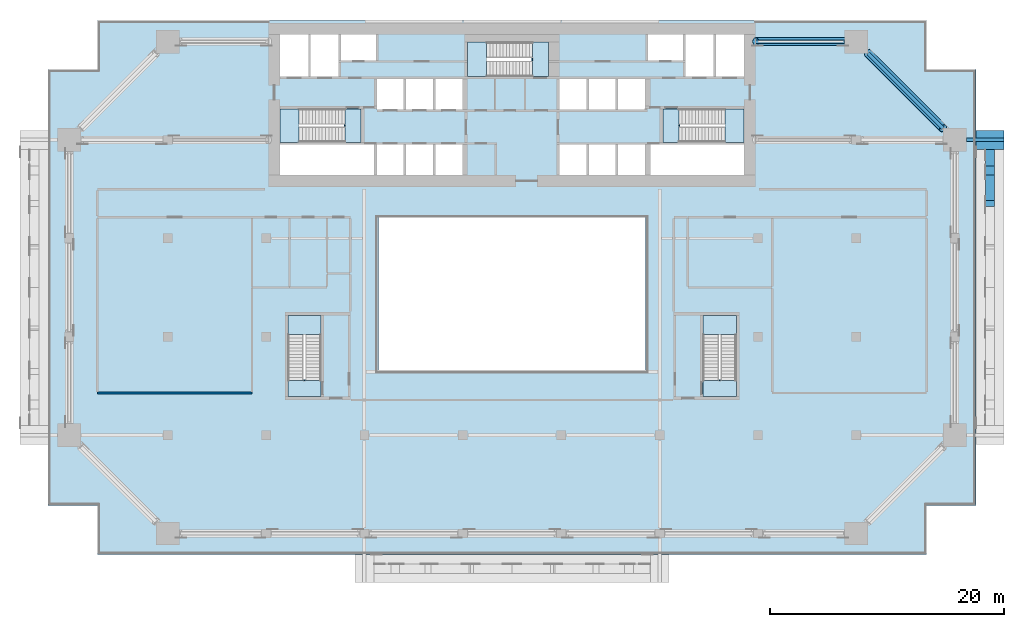
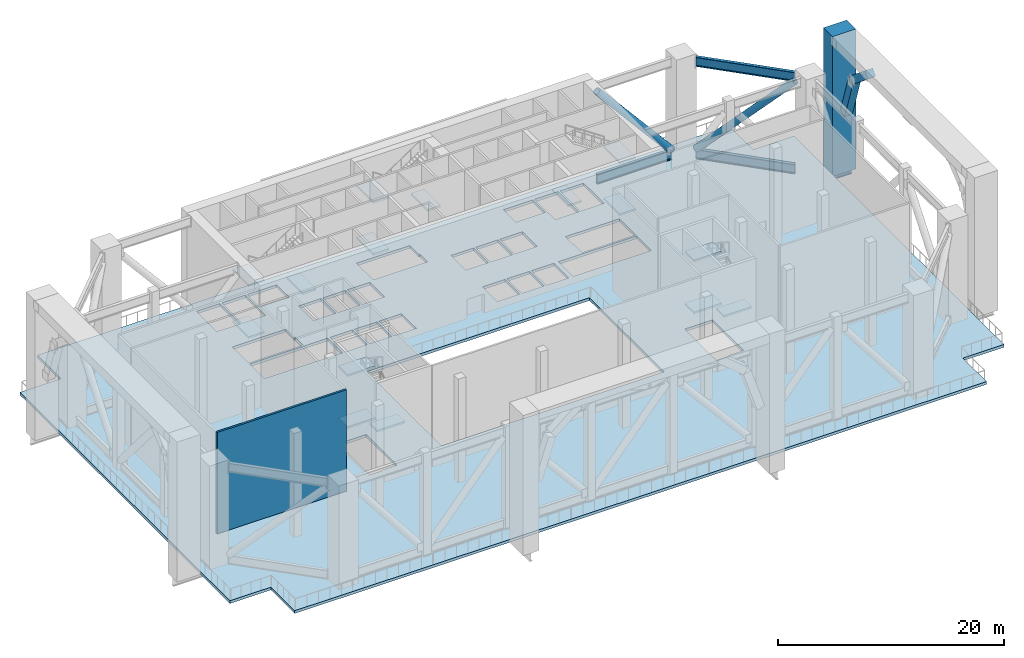
# One storey, part 3 of 19: 16 slabs, 8 members, 1 beam, 1 wall, 5 elements without a shape of their own.
"""IFC4 building model written with IfcOpenShell, lengths in metres."""

from ifc_helpers import new_model, si_unit, direction, frame, frame_2d, origin, origin_2d, place, context, subcontext, project, spatial, polyline, rectangle, hollow_circle, i_section, outline, extrude, material, layer, layer_set, material_profile, profile_set, type_object, element, aggregate, save


model = new_model("IFC4")

# Units and contexts
model_context = context("Model", 3, precision=1e-05, world=origin(), true_north=direction((0.0, 1.0)))
body_context = subcontext(model_context, "Body", "Model", "MODEL_VIEW")
ifc_project = project(units=[si_unit("LENGTHUNIT", "METRE"), si_unit("AREAUNIT", "SQUARE_METRE"), si_unit("VOLUMEUNIT", "CUBIC_METRE"), si_unit("PLANEANGLEUNIT", "RADIAN"), si_unit("MASSUNIT", "GRAM", prefix="KILO")], contexts=[model_context])

# Site, building, storey
site_placement = place(None, origin())
site = spatial("IfcSite", under=ifc_project, at=site_placement, CompositionType="ELEMENT")
building_placement = place(site_placement, origin())
building = spatial("IfcBuilding", under=site, at=building_placement, Name="Saffron Gate Tower", CompositionType="ELEMENT")
storey_placement = place(building_placement, frame((0.0, 0.0, 84.0)))
storey = spatial("IfcBuildingStorey", under=building, at=storey_placement, Name="L20", CompositionType="ELEMENT", Elevation=84.0)

# Members
ifc_material_1 = material(Name="Structural steel S355", Category="steel")
ifc_material_profile_1 = material_profile(ifc_material_1, i_section(OverallWidth=0.300048828125, OverallDepth=1.0, WebThickness=0.01904296875, FlangeThickness=0.035888671875, FilletRadius=0.030029296875, at=origin_2d()))
ifc_profile_set_1 = profile_set([ifc_material_profile_1], Name="Structural steel S355")
member_type_1 = type_object("IfcMemberType", Name="BT4 HEB 1000", PredefinedType="CHORD", material=ifc_profile_set_1)
for number, where, z_axis, x_axis, name in (
    (1, (118.0, 72.800048828125, 10.469970703125), (0.707093294118, -0.707120267998, 0.0), (0.707120267998, 0.707093294118, 0.0), "BT4 BELT TRUSS TOP CHORD"),
    (2, (118.0, 72.800048828125, 0.5), (0.707093294118, -0.707120267998, 0.0), (0.707120267998, 0.707093294118, 0.0), "BT4 BELT TRUSS BOTTOM CHORD"),
):
    element("IfcMember", number, at=place(storey_placement, frame(where, z_axis=z_axis, x_axis=x_axis)), inside=storey, type_object=member_type_1, Name=name, PredefinedType="CHORD", context=body_context, shape_type="SweptSolid", body=[
        extrude(i_section(OverallWidth=0.300048828125, OverallDepth=1.0, WebThickness=0.01904296875, FlangeThickness=0.035888671875, FilletRadius=0.030029296875, at=origin_2d()), origin(), (0.0, 0.0, 1.0), 9.051025390625),
    ])
ifc_material_profile_2 = material_profile(ifc_material_1, hollow_circle(Radius=0.35546875, WallThickness=0.02490234375, at=origin_2d()))
ifc_profile_set_2 = profile_set([ifc_material_profile_2], Name="Structural steel S355")
member_type_2 = type_object("IfcMemberType", Name="BT7 CHS 711x25", PredefinedType="BRACE", material=ifc_profile_set_2)
member_1_placement = place(storey_placement, frame((118.0, 72.800048828125, 1.0), z_axis=(0.502233574458, -0.502252733441, 0.703920186128), x_axis=(0.707120267998, 0.707093294118, 0.0)))
element("IfcMember", 3, at=member_1_placement, inside=storey, type_object=member_type_2, Name="BT7 BELT TRUSS DIAGONAL", PredefinedType="BRACE", context=body_context, shape_type="SweptSolid", body=[
    extrude(hollow_circle(Radius=0.35546875, WallThickness=0.02490234375, at=origin_2d()), origin(), (0.0, 0.0, 1.0), 12.742919921875),
])
ifc_material_profile_3 = material_profile(ifc_material_1, i_section(OverallWidth=0.300048828125, OverallDepth=1.0, WebThickness=0.01904296875, FlangeThickness=0.035888671875, FilletRadius=0.030029296875, at=origin_2d()))
ifc_profile_set_3 = profile_set([ifc_material_profile_3], Name="Structural steel S355")
member_type_3 = type_object("IfcMemberType", Name="OT3 HEB 1000", PredefinedType="CHORD", material=ifc_profile_set_3)
member_2_placement = place(storey_placement, frame((116.0, 73.800048828125, 0.5), z_axis=(-1.0, 0.0, 0.0), x_axis=(0.0, -1.0, 0.0)))
element("IfcMember", 4, at=member_2_placement, inside=storey, type_object=member_type_3, Name="OT3 OUTRIGGER BOTTOM CHORD", PredefinedType="CHORD", context=body_context, shape_type="SweptSolid", body=[
    extrude(i_section(OverallWidth=0.300048828125, OverallDepth=1.0, WebThickness=0.01904296875, FlangeThickness=0.035888671875, FilletRadius=0.030029296875, at=origin_2d()), origin(), (0.0, 0.0, 1.0), 7.60009765625),
])
ifc_material_profile_4 = material_profile(ifc_material_1, hollow_circle(Radius=0.35546875, WallThickness=0.02490234375, at=origin_2d()))
ifc_profile_set_4 = profile_set([ifc_material_profile_4], Name="Structural steel S355")
member_type_4 = type_object("IfcMemberType", Name="OT6 CHS 711x25", PredefinedType="BRACE", material=ifc_profile_set_4)
member_3_placement = place(storey_placement, frame((116.0, 73.800048828125, 1.0), z_axis=(-0.646443850124, 0.0, 0.762961564324), x_axis=(0.0, -1.0, 0.0)))
element("IfcMember", 5, at=member_3_placement, inside=storey, type_object=member_type_4, Name="OT6 OUTRIGGER DIAGONAL", PredefinedType="BRACE", context=body_context, shape_type="SweptSolid", body=[
    extrude(hollow_circle(Radius=0.35546875, WallThickness=0.02490234375, at=origin_2d()), origin(), (0.0, 0.0, 1.0), 11.7568359375),
])
ifc_material_2 = material(Name="Concrete C60", Category="concrete")
ifc_material_profile_5 = material_profile(ifc_material_2, rectangle(XDim=0.800048828125, YDim=0.800048828125, at=origin_2d()))
ifc_profile_set_5 = profile_set([ifc_material_profile_5], Name="Concrete C60")
member_type_5 = type_object("IfcMemberType", Name="PA1 RC 800x800", PredefinedType="BRACE", material=ifc_profile_set_5)
member_4_placement = place(storey_placement, frame((128.39990234375, 59.98583984375, 13.241943359375), z_axis=(0.0, 0.771301255722, -0.636470245119), x_axis=(-1.0, 0.0, 0.0)))
element("IfcMember", 6, at=member_4_placement, inside=storey, type_object=member_type_5, Name="PA1 PISHTAQ ARCH", PredefinedType="BRACE", context=body_context, shape_type="SweptSolid", body=[
    extrude(rectangle(XDim=0.800048828125, YDim=0.800048828125, at=origin_2d()), origin(), (0.0, 0.0, 1.0), 3.453125),
])
member_5_placement = place(storey_placement, frame((128.39990234375, 62.774658203125, 10.860595703125), z_axis=(0.0, 0.311817884168, -0.950141887885), x_axis=(-1.0, 0.0, 0.0)))
element("IfcMember", 7, at=member_5_placement, inside=storey, type_object=member_type_5, Name="PA1 PISHTAQ ARCH", PredefinedType="BRACE", context=body_context, shape_type="SweptSolid", body=[
    extrude(rectangle(XDim=0.800048828125, YDim=0.800048828125, at=origin_2d()), origin(), (0.0, 0.0, 1.0), 4.57080078125),
])
ifc_material_profile_6 = material_profile(ifc_material_2, rectangle(XDim=2.39990234375, YDim=1.60009765625, at=origin_2d()))
ifc_profile_set_6 = profile_set([ifc_material_profile_6], Name="Concrete C60")
member_type_6 = type_object("IfcMemberType", Name="PP1 RC 2400x1600", PredefinedType="POST", material=ifc_profile_set_6)
member_6_placement = place(storey_placement, frame((128.39990234375, 65.39990234375, -0.300048828125), z_axis=(0.0, 0.0, 1.0), x_axis=(1.0, 0.0, 0.0)))
element("IfcMember", 8, at=member_6_placement, inside=storey, type_object=member_type_6, Name="PP1 PISHTAQ PIER", PredefinedType="POST", context=body_context, shape_type="SweptSolid", body=[
    extrude(rectangle(XDim=2.39990234375, YDim=1.60009765625, at=origin_2d()), origin(), (0.0, 0.0, 1.0), 15.150146484375),
])

# Beam
ifc_material_profile_7 = material_profile(ifc_material_1, i_section(OverallWidth=0.300048828125, OverallDepth=0.889892578125, WebThickness=0.01611328125, FlangeThickness=0.030029296875, FilletRadius=0.030029296875, at=origin_2d()))
ifc_profile_set_7 = profile_set([ifc_material_profile_7], Name="Structural steel S355")
beam_type = type_object("IfcBeamType", Name="PQ1 HEA 900", PredefinedType="BEAM", material=ifc_profile_set_7)
beam_placement = place(storey_placement, frame((129.60009765625, 65.39990234375, -0.7451171875), z_axis=(-1.0, 0.0, 0.0), x_axis=(0.0, -1.0, 0.0)))
element("IfcBeam", 9, at=beam_placement, inside=storey, type_object=beam_type, Name="PQ1 PISHTAQ PIER BEAM", PredefinedType="BEAM", context=body_context, shape_type="SweptSolid", body=[
    extrude(i_section(OverallWidth=0.300048828125, OverallDepth=0.889892578125, WebThickness=0.01611328125, FlangeThickness=0.030029296875, FilletRadius=0.030029296875, at=origin_2d()), origin(), (0.0, 0.0, 1.0), 3.2001953125),
])

# Slab
ifc_material_3 = material(Name="Concrete C40", Category="concrete")
ifc_layer_1 = layer(ifc_material_3, 0.300048828125)
ifc_layer_set_1 = layer_set([ifc_layer_1], Name="S3 FLOOR SLAB 300 CONCRETE C40")
slab_type_1 = type_object("IfcSlabType", Name="S3 FLOOR SLAB 300 CONCRETE C40", PredefinedType="FLOOR", material=ifc_layer_set_1)
slab_1_placement = place(storey_placement, frame((0.0, 0.0, -0.300048828125)))
element("IfcSlab", 10, at=slab_1_placement, inside=storey, type_object=slab_type_1, Name="S3 FLOOR SLAB", PredefinedType="FLOOR", context=body_context, shape_type="SweptSolid", body=[
    extrude(outline(polyline([(48.0, 34.199951171875), (52.199951171875, 34.199951171875), (52.199951171875, 30.0), (123.0, 30.0), (123.0, 34.199951171875), (127.199951171875, 34.199951171875), (127.199951171875, 71.39990234375), (123.0, 71.39990234375), (123.0, 75.60009765625), (52.199951171875, 75.60009765625), (52.199951171875, 71.39990234375), (48.0, 71.39990234375), (48.0, 34.199951171875)]), holes=[polyline([(67.800048828125, 62.39990234375), (67.800048828125, 65.0), (75.800048828125, 65.0), (75.800048828125, 62.39990234375), (67.800048828125, 62.39990234375)]), polyline([(67.800048828125, 65.199951171875), (67.800048828125, 68.050048828125), (73.25, 68.050048828125), (73.25, 66.550048828125), (73.34912109375, 66.550048828125), (73.34912109375, 65.199951171875), (67.800048828125, 65.199951171875)]), polyline([(67.800048828125, 70.800048828125), (67.800048828125, 74.39990234375), (70.199951171875, 74.39990234375), (70.199951171875, 70.800048828125), (67.800048828125, 70.800048828125)]), polyline([(68.449951171875, 44.85107421875), (68.449951171875, 50.39990234375), (71.300048828125, 50.39990234375), (71.300048828125, 44.949951171875), (69.800048828125, 44.949951171875), (69.800048828125, 44.85107421875), (68.449951171875, 44.85107421875)]), polyline([(70.39990234375, 70.800048828125), (70.39990234375, 74.39990234375), (72.800048828125, 74.39990234375), (72.800048828125, 70.800048828125), (70.39990234375, 70.800048828125)]), polyline([(73.0, 72.199951171875), (73.0, 74.39990234375), (76.0, 74.39990234375), (76.0, 72.199951171875), (73.0, 72.199951171875)]), polyline([(76.050048828125, 62.39990234375), (76.050048828125, 65.0), (78.35009765625, 65.0), (78.35009765625, 62.39990234375), (76.050048828125, 62.39990234375)]), polyline([(76.050048828125, 68.0), (76.050048828125, 70.60009765625), (78.35009765625, 70.60009765625), (78.35009765625, 68.0), (76.050048828125, 68.0)]), polyline([(76.199951171875, 45.60009765625), (76.199951171875, 58.800048828125), (99.0, 58.800048828125), (99.0, 45.60009765625), (76.199951171875, 45.60009765625)]), polyline([(78.550048828125, 62.39990234375), (78.550048828125, 65.0), (80.85009765625, 65.0), (80.85009765625, 62.39990234375), (78.550048828125, 62.39990234375)]), polyline([(78.550048828125, 68.0), (78.550048828125, 70.60009765625), (80.85009765625, 70.60009765625), (80.85009765625, 68.0), (78.550048828125, 68.0)]), polyline([(81.050048828125, 62.39990234375), (81.050048828125, 65.0), (83.35009765625, 65.0), (83.35009765625, 62.39990234375), (81.050048828125, 62.39990234375)]), polyline([(81.050048828125, 68.0), (81.050048828125, 70.60009765625), (83.35009765625, 70.60009765625), (83.35009765625, 68.0), (81.050048828125, 68.0)]), polyline([(83.800048828125, 70.800048828125), (83.800048828125, 73.75), (89.25, 73.75), (89.25, 72.14990234375), (89.34912109375, 72.14990234375), (89.34912109375, 70.800048828125), (83.800048828125, 70.800048828125)]), polyline([(91.64990234375, 62.39990234375), (91.64990234375, 65.0), (93.949951171875, 65.0), (93.949951171875, 62.39990234375), (91.64990234375, 62.39990234375)]), polyline([(91.64990234375, 68.0), (91.64990234375, 70.60009765625), (93.949951171875, 70.60009765625), (93.949951171875, 68.0), (91.64990234375, 68.0)]), polyline([(94.14990234375, 62.39990234375), (94.14990234375, 65.0), (96.449951171875, 65.0), (96.449951171875, 62.39990234375), (94.14990234375, 62.39990234375)]), polyline([(94.14990234375, 68.0), (94.14990234375, 70.60009765625), (96.449951171875, 70.60009765625), (96.449951171875, 68.0), (94.14990234375, 68.0)]), polyline([(96.64990234375, 62.39990234375), (96.64990234375, 65.0), (98.949951171875, 65.0), (98.949951171875, 62.39990234375), (96.64990234375, 62.39990234375)]), polyline([(96.64990234375, 68.0), (96.64990234375, 70.60009765625), (98.949951171875, 70.60009765625), (98.949951171875, 68.0), (96.64990234375, 68.0)]), polyline([(99.199951171875, 72.199951171875), (99.199951171875, 74.39990234375), (102.199951171875, 74.39990234375), (102.199951171875, 72.199951171875), (99.199951171875, 72.199951171875)]), polyline([(99.39990234375, 62.39990234375), (99.39990234375, 65.0), (107.39990234375, 65.0), (107.39990234375, 62.39990234375), (99.39990234375, 62.39990234375)]), polyline([(101.85107421875, 66.699951171875), (101.85107421875, 68.050048828125), (107.39990234375, 68.050048828125), (107.39990234375, 65.199951171875), (101.949951171875, 65.199951171875), (101.949951171875, 66.699951171875), (101.85107421875, 66.699951171875)]), polyline([(102.39990234375, 70.800048828125), (102.39990234375, 74.39990234375), (104.800048828125, 74.39990234375), (104.800048828125, 70.800048828125), (102.39990234375, 70.800048828125)]), polyline([(103.89990234375, 44.85107421875), (103.89990234375, 50.39990234375), (106.75, 50.39990234375), (106.75, 44.949951171875), (105.25, 44.949951171875), (105.25, 44.85107421875), (103.89990234375, 44.85107421875)]), polyline([(105.0, 70.800048828125), (105.0, 74.39990234375), (107.39990234375, 74.39990234375), (107.39990234375, 70.800048828125), (105.0, 70.800048828125)])]), origin(), (0.0, 0.0, 1.0), 0.300048828125),
])

# Stair, slabs
stair_type = type_object("IfcStairType", Name="ST8 Stair 1350 wide, 60 risers of 188", PredefinedType="HALF_TURN_STAIR", material=ifc_material_3)
stair_1_placement = place(storey_placement, origin())
stair_1 = element("IfcStair", 11, at=stair_1_placement, inside=storey, type_object=stair_type, Name="L20 Exit stair A", PredefinedType="HALF_TURN_STAIR")
ifc_layer_2 = layer(ifc_material_3, 0.199951171875)
ifc_layer_set_2 = layer_set([ifc_layer_2], Name="SL1 Stair landing 200")
slab_type_2 = type_object("IfcSlabType", Name="SL1 Stair landing 200", PredefinedType="LANDING", material=ifc_layer_set_2)
slab_2_placement = place(storey_placement, frame((0.0, 0.0, 2.612548828125)))
slab_2 = element("IfcSlab", 12, at=slab_2_placement, type_object=slab_type_2, Name="ST-A landing 1", PredefinedType="LANDING", context=body_context, shape_type="SweptSolid", body=[
    extrude(outline(polyline([(69.429931640625, 68.050048828125), (67.800048828125, 68.050048828125), (67.800048828125, 65.199951171875), (69.429931640625, 65.199951171875), (69.429931640625, 68.050048828125)])), origin(), (0.0, 0.0, 1.0), 0.199951171875),
])
slab_3_placement = place(storey_placement, frame((0.0, 0.0, 5.425048828125)))
slab_3 = element("IfcSlab", 13, at=slab_3_placement, type_object=slab_type_2, Name="ST-A landing 2", PredefinedType="LANDING", context=body_context, shape_type="SweptSolid", body=[
    extrude(outline(polyline([(74.699951171875, 68.050048828125), (73.35009765625, 68.050048828125), (73.35009765625, 65.199951171875), (74.699951171875, 65.199951171875), (74.699951171875, 68.050048828125)])), origin(), (0.0, 0.0, 1.0), 0.199951171875),
])
slab_4_placement = place(storey_placement, frame((0.0, 0.0, 8.237548828125)))
slab_4 = element("IfcSlab", 14, at=slab_4_placement, type_object=slab_type_2, Name="ST-A landing 3", PredefinedType="LANDING", context=body_context, shape_type="SweptSolid", body=[
    extrude(outline(polyline([(69.429931640625, 68.050048828125), (67.800048828125, 68.050048828125), (67.800048828125, 65.199951171875), (69.429931640625, 65.199951171875), (69.429931640625, 68.050048828125)])), origin(), (0.0, 0.0, 1.0), 0.199951171875),
])
aggregate(stair_1, [slab_2, slab_3, slab_4])

stair_2_placement = place(storey_placement, origin())
stair_2 = element("IfcStair", 15, at=stair_2_placement, inside=storey, type_object=stair_type, Name="L20 Exit stair B", PredefinedType="HALF_TURN_STAIR")
slab_5_placement = place(storey_placement, frame((0.0, 0.0, 2.612548828125)))
slab_5 = element("IfcSlab", 16, at=slab_5_placement, type_object=slab_type_2, Name="ST-B landing 1", PredefinedType="LANDING", context=body_context, shape_type="SweptSolid", body=[
    extrude(outline(polyline([(105.77001953125, 65.199951171875), (107.39990234375, 65.199951171875), (107.39990234375, 68.050048828125), (105.77001953125, 68.050048828125), (105.77001953125, 65.199951171875)])), origin(), (0.0, 0.0, 1.0), 0.199951171875),
])
slab_6_placement = place(storey_placement, frame((0.0, 0.0, 5.425048828125)))
slab_6 = element("IfcSlab", 17, at=slab_6_placement, type_object=slab_type_2, Name="ST-B landing 2", PredefinedType="LANDING", context=body_context, shape_type="SweptSolid", body=[
    extrude(outline(polyline([(100.5, 65.199951171875), (101.85009765625, 65.199951171875), (101.85009765625, 68.050048828125), (100.5, 68.050048828125), (100.5, 65.199951171875)])), origin(), (0.0, 0.0, 1.0), 0.199951171875),
])
slab_7_placement = place(storey_placement, frame((0.0, 0.0, 8.237548828125)))
slab_7 = element("IfcSlab", 18, at=slab_7_placement, type_object=slab_type_2, Name="ST-B landing 3", PredefinedType="LANDING", context=body_context, shape_type="SweptSolid", body=[
    extrude(outline(polyline([(105.77001953125, 65.199951171875), (107.39990234375, 65.199951171875), (107.39990234375, 68.050048828125), (105.77001953125, 68.050048828125), (105.77001953125, 65.199951171875)])), origin(), (0.0, 0.0, 1.0), 0.199951171875),
])
aggregate(stair_2, [slab_5, slab_6, slab_7])

stair_3_placement = place(storey_placement, origin())
stair_3 = element("IfcStair", 19, at=stair_3_placement, inside=storey, type_object=stair_type, Name="L20 Exit stair C", PredefinedType="HALF_TURN_STAIR")
slab_8_placement = place(storey_placement, frame((0.0, 0.0, 2.612548828125)))
slab_8 = element("IfcSlab", 20, at=slab_8_placement, type_object=slab_type_2, Name="ST-C landing 1", PredefinedType="LANDING", context=body_context, shape_type="SweptSolid", body=[
    extrude(outline(polyline([(85.429931640625, 73.75), (83.800048828125, 73.75), (83.800048828125, 70.800048828125), (85.429931640625, 70.800048828125), (85.429931640625, 73.75)])), origin(), (0.0, 0.0, 1.0), 0.199951171875),
])
slab_9_placement = place(storey_placement, frame((0.0, 0.0, 5.425048828125)))
slab_9 = element("IfcSlab", 21, at=slab_9_placement, type_object=slab_type_2, Name="ST-C landing 2", PredefinedType="LANDING", context=body_context, shape_type="SweptSolid", body=[
    extrude(outline(polyline([(90.699951171875, 73.75), (89.35009765625, 73.75), (89.35009765625, 70.800048828125), (90.699951171875, 70.800048828125), (90.699951171875, 73.75)])), origin(), (0.0, 0.0, 1.0), 0.199951171875),
])
slab_10_placement = place(storey_placement, frame((0.0, 0.0, 8.237548828125)))
slab_10 = element("IfcSlab", 22, at=slab_10_placement, type_object=slab_type_2, Name="ST-C landing 3", PredefinedType="LANDING", context=body_context, shape_type="SweptSolid", body=[
    extrude(outline(polyline([(85.429931640625, 73.75), (83.800048828125, 73.75), (83.800048828125, 70.800048828125), (85.429931640625, 70.800048828125), (85.429931640625, 73.75)])), origin(), (0.0, 0.0, 1.0), 0.199951171875),
])
aggregate(stair_3, [slab_8, slab_9, slab_10])

stair_4_placement = place(storey_placement, origin())
stair_4 = element("IfcStair", 23, at=stair_4_placement, inside=storey, type_object=stair_type, Name="L20 Exit stair D", PredefinedType="HALF_TURN_STAIR")
slab_11_placement = place(storey_placement, frame((0.0, 0.0, 2.612548828125)))
slab_11 = element("IfcSlab", 24, at=slab_11_placement, type_object=slab_type_2, Name="ST-D landing 1", PredefinedType="LANDING", context=body_context, shape_type="SweptSolid", body=[
    extrude(outline(polyline([(71.300048828125, 48.77001953125), (71.300048828125, 50.39990234375), (68.449951171875, 50.39990234375), (68.449951171875, 48.77001953125), (71.300048828125, 48.77001953125)])), origin(), (0.0, 0.0, 1.0), 0.199951171875),
])
slab_12_placement = place(storey_placement, frame((0.0, 0.0, 5.425048828125)))
slab_12 = element("IfcSlab", 25, at=slab_12_placement, type_object=slab_type_2, Name="ST-D landing 2", PredefinedType="LANDING", context=body_context, shape_type="SweptSolid", body=[
    extrude(outline(polyline([(71.300048828125, 43.5), (71.300048828125, 44.85009765625), (68.449951171875, 44.85009765625), (68.449951171875, 43.5), (71.300048828125, 43.5)])), origin(), (0.0, 0.0, 1.0), 0.199951171875),
])
slab_13_placement = place(storey_placement, frame((0.0, 0.0, 8.237548828125)))
slab_13 = element("IfcSlab", 26, at=slab_13_placement, type_object=slab_type_2, Name="ST-D landing 3", PredefinedType="LANDING", context=body_context, shape_type="SweptSolid", body=[
    extrude(outline(polyline([(71.300048828125, 48.77001953125), (71.300048828125, 50.39990234375), (68.449951171875, 50.39990234375), (68.449951171875, 48.77001953125), (71.300048828125, 48.77001953125)])), origin(), (0.0, 0.0, 1.0), 0.199951171875),
])
aggregate(stair_4, [slab_11, slab_12, slab_13])

stair_5_placement = place(storey_placement, origin())
stair_5 = element("IfcStair", 27, at=stair_5_placement, inside=storey, type_object=stair_type, Name="L20 Exit stair E", PredefinedType="HALF_TURN_STAIR")
slab_14_placement = place(storey_placement, frame((0.0, 0.0, 2.612548828125)))
slab_14 = element("IfcSlab", 28, at=slab_14_placement, type_object=slab_type_2, Name="ST-E landing 1", PredefinedType="LANDING", context=body_context, shape_type="SweptSolid", body=[
    extrude(outline(polyline([(106.75, 48.77001953125), (106.75, 50.39990234375), (103.89990234375, 50.39990234375), (103.89990234375, 48.77001953125), (106.75, 48.77001953125)])), origin(), (0.0, 0.0, 1.0), 0.199951171875),
])
slab_15_placement = place(storey_placement, frame((0.0, 0.0, 5.425048828125)))
slab_15 = element("IfcSlab", 29, at=slab_15_placement, type_object=slab_type_2, Name="ST-E landing 2", PredefinedType="LANDING", context=body_context, shape_type="SweptSolid", body=[
    extrude(outline(polyline([(106.75, 43.5), (106.75, 44.85009765625), (103.89990234375, 44.85009765625), (103.89990234375, 43.5), (106.75, 43.5)])), origin(), (0.0, 0.0, 1.0), 0.199951171875),
])
slab_16_placement = place(storey_placement, frame((0.0, 0.0, 8.237548828125)))
slab_16 = element("IfcSlab", 30, at=slab_16_placement, type_object=slab_type_2, Name="ST-E landing 3", PredefinedType="LANDING", context=body_context, shape_type="SweptSolid", body=[
    extrude(outline(polyline([(106.75, 48.77001953125), (106.75, 50.39990234375), (103.89990234375, 50.39990234375), (103.89990234375, 48.77001953125), (106.75, 48.77001953125)])), origin(), (0.0, 0.0, 1.0), 0.199951171875),
])
aggregate(stair_5, [slab_14, slab_15, slab_16])

# Wall
ifc_material_4 = material(Name="Clay brick masonry, rendered", Category="masonry")
ifc_layer_3 = layer(ifc_material_4, 0.199951171875)
ifc_layer_set_3 = layer_set([ifc_layer_3], Name="PW5 Room wall 200")
wall_type = type_object("IfcWallType", Name="PW5 Room wall 200", PredefinedType="PARTITIONING", material=ifc_layer_set_3)
wall_placement = place(storey_placement, frame((52.199951171875, 43.800048828125, 0.0), z_axis=(0.0, 0.0, 1.0), x_axis=(1.0, 0.0, 0.0)))
element("IfcWall", 31, at=wall_placement, inside=storey, type_object=wall_type, Name="Wall X1-2", PredefinedType="PARTITIONING", context=body_context, shape_type="SweptSolid", body=[
    extrude(rectangle(XDim=13.199951171875, YDim=0.199951171875, at=frame_2d((6.60009765625, 0.0))), origin(), (0.0, 0.0, 1.0), 10.969970703125),
])

save(model, "model.ifc")
